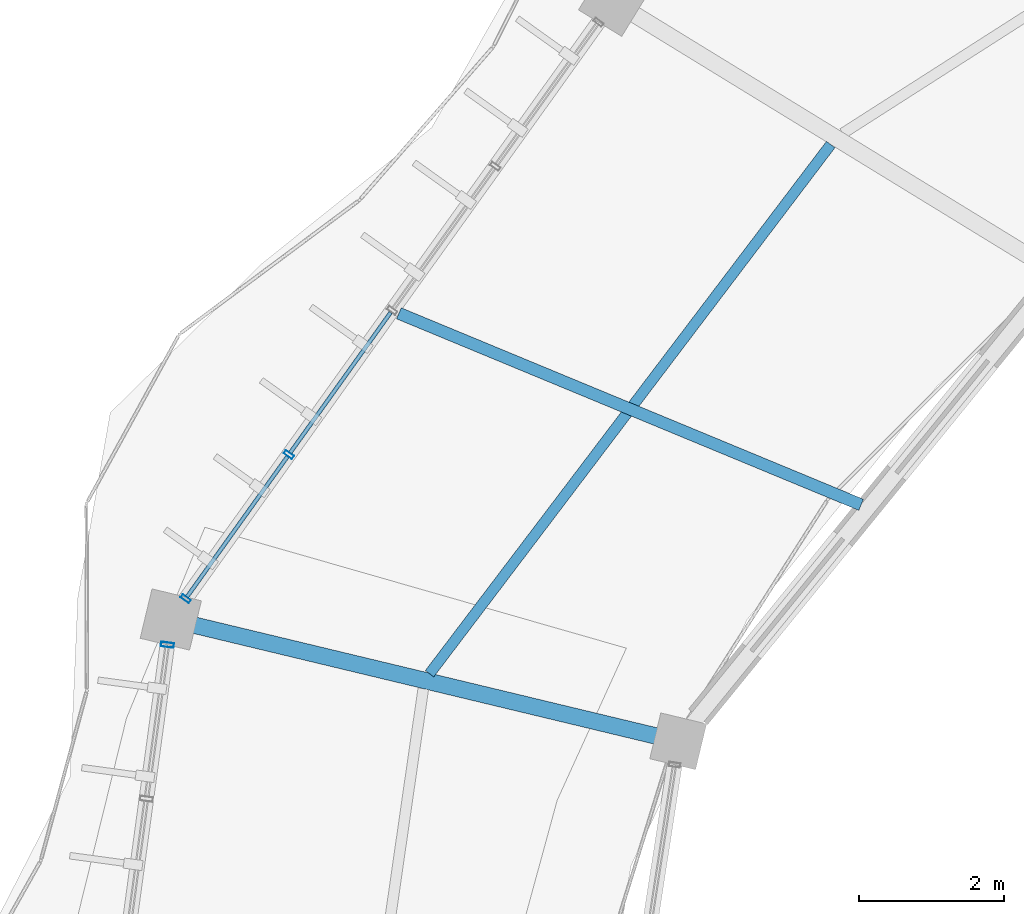
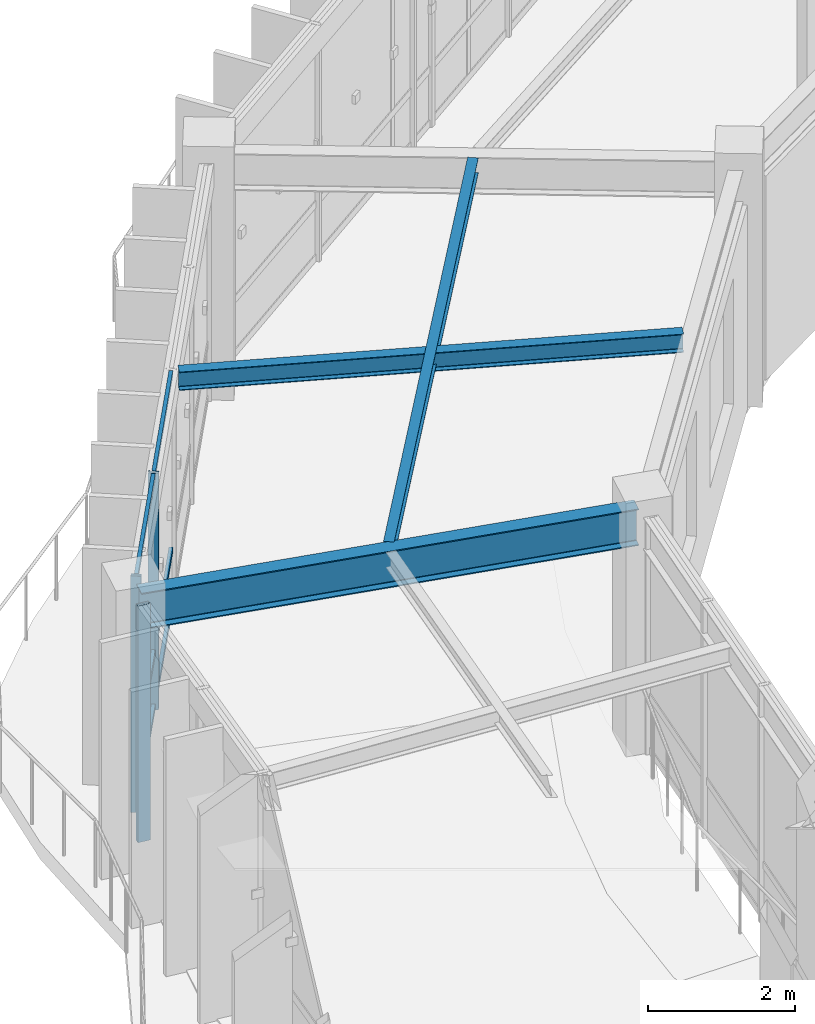
# One storey, part 41 of 138: 9 members, 3 beams, 2 elements without a shape of their own.
"""IFC4 building model written with IfcOpenShell, lengths in metres."""

from ifc_helpers import new_model, si_unit, direction, frame, origin, origin_2d, place, context, subcontext, project, spatial, hollow_rectangle, i_section, extrude, material, material_profile, profile_set, type_object, element, aggregate, save


model = new_model("IFC4")

# Units and contexts
model_context = context("Model", 3, precision=1e-05, world=origin(), true_north=direction((0.0, 1.0)))
body_context = subcontext(model_context, "Body", "Model", "MODEL_VIEW")
ifc_project = project(units=[si_unit("LENGTHUNIT", "METRE"), si_unit("AREAUNIT", "SQUARE_METRE"), si_unit("VOLUMEUNIT", "CUBIC_METRE"), si_unit("PLANEANGLEUNIT", "RADIAN"), si_unit("MASSUNIT", "GRAM", prefix="KILO"), si_unit("THERMODYNAMICTEMPERATUREUNIT", "KELVIN"), si_unit("POWERUNIT", "WATT")], contexts=[model_context])

# Site, building, storey
site_placement = place(None, origin())
site = spatial("IfcSite", under=ifc_project, at=site_placement, CompositionType="ELEMENT")
building_placement = place(site_placement, origin())
building = spatial("IfcBuilding", under=site, at=building_placement, Name="Darbajah Civic Hall", CompositionType="ELEMENT")
storey_placement = place(building_placement, frame((0.0, 0.0, 9.60009765625)))
storey = spatial("IfcBuildingStorey", under=building, at=storey_placement, Name="L02", CompositionType="ELEMENT", Elevation=9.60009765625)

# Curtain wall, members
ifc_material_1 = material(Name="Anodised Bronze Aluminium and Low-E Glazing", Category="aluminium")
curtain_wall_type_1 = type_object("IfcCurtainWallType", Name="Unitised Curtain Wall CW-44 9800x3900", PredefinedType="USERDEFINED", material=ifc_material_1)
curtain_wall_1_placement = place(storey_placement, origin())
curtain_wall_1 = element("IfcCurtainWall", 1, at=curtain_wall_1_placement, inside=storey, type_object=curtain_wall_type_1, Name="L02 unitised curtain wall CW-V1O-L02-08", ObjectType="UNITISED CURTAIN WALL", PredefinedType="USERDEFINED")
ifc_material_2 = material(Name="Anodised Bronze Aluminium", Category="aluminium")
ifc_material_profile_1 = material_profile(ifc_material_2, hollow_rectangle(XDim=0.054931640625, YDim=0.139892578125, WallThickness=0.003173828125, at=origin_2d()), Name="ALU MULLION 55x140")
ifc_profile_set_1 = profile_set([ifc_material_profile_1], Name="Anodised Bronze Aluminium")
member_type_1 = type_object("IfcMemberType", Name="ALU MULLION 55x140", PredefinedType="MULLION", material=ifc_profile_set_1)
member_1_placement = place(storey_placement, frame((41.13818359375, 98.96142578125, 0.0), z_axis=(0.0, 0.0, 1.0), x_axis=(-0.582264874145, -0.812999149039, 0.0)))
member_1 = element("IfcMember", 2, at=member_1_placement, type_object=member_type_1, Name="CW-V1O-L02-08 mullion 4", PredefinedType="MULLION", context=body_context, shape_type="SweptSolid", body=[
    extrude(hollow_rectangle(XDim=0.054931640625, YDim=0.139892578125, WallThickness=0.003173828125, at=origin_2d()), origin(), (0.0, 0.0, 1.0), 3.919921875),
])
member_2_placement = place(storey_placement, frame((39.714111328125, 96.972900390625, 0.0), z_axis=(0.0, 0.0, 1.0), x_axis=(-0.582264874145, -0.812999149039, 0.0)))
member_2 = element("IfcMember", 3, at=member_2_placement, type_object=member_type_1, Name="CW-V1O-L02-08 mullion 5", PredefinedType="MULLION", context=body_context, shape_type="SweptSolid", body=[
    extrude(hollow_rectangle(XDim=0.054931640625, YDim=0.139892578125, WallThickness=0.003173828125, at=origin_2d()), origin(), (0.0, 0.0, 1.0), 3.919921875),
])

# Curtain wall, member
curtain_wall_type_2 = type_object("IfcCurtainWallType", Name="Unitised Curtain Wall CW-45 8600x3900", PredefinedType="USERDEFINED", material=ifc_material_1)
curtain_wall_2_placement = place(storey_placement, origin())
curtain_wall_2 = element("IfcCurtainWall", 4, at=curtain_wall_2_placement, inside=storey, type_object=curtain_wall_type_2, Name="L02 unitised curtain wall CW-V1O-L02-09", ObjectType="UNITISED CURTAIN WALL", PredefinedType="USERDEFINED")
ifc_material_profile_2 = material_profile(ifc_material_2, hollow_rectangle(XDim=0.06494140625, YDim=0.179931640625, WallThickness=0.00390625, at=origin_2d()), Name="ALU MULLION 65x180")
ifc_profile_set_2 = profile_set([ifc_material_profile_2], Name="Anodised Bronze Aluminium")
member_type_2 = type_object("IfcMemberType", Name="ALU MULLION 65x180", PredefinedType="MULLION", material=ifc_profile_set_2)
member_3_placement = place(storey_placement, frame((39.461669921875, 96.337890625, 0.0), z_axis=(0.0, 0.0, 1.0), x_axis=(-0.134850930274, -0.990865897387, 0.0)))
member_3 = element("IfcMember", 5, at=member_3_placement, type_object=member_type_2, Name="CW-V1O-L02-09 mullion 1", PredefinedType="MULLION", context=body_context, shape_type="SweptSolid", body=[
    extrude(hollow_rectangle(XDim=0.06494140625, YDim=0.179931640625, WallThickness=0.00390625, at=origin_2d()), origin(), (0.0, 0.0, 1.0), 3.919921875),
])
aggregate(curtain_wall_2, [member_3])

# Member
ifc_material_profile_3 = material_profile(ifc_material_2, hollow_rectangle(XDim=0.054931640625, YDim=0.10009765625, WallThickness=0.0029296875, at=origin_2d()), Name="ALU TRANSOM 55x100")
ifc_profile_set_3 = profile_set([ifc_material_profile_3], Name="Anodised Bronze Aluminium")
member_type_3 = type_object("IfcMemberType", Name="ALU TRANSOM 55x100", PredefinedType="USERDEFINED", material=ifc_profile_set_3)
member_4_placement = place(storey_placement, frame((42.543212890625, 100.923583984375, 0.0498046875), z_axis=(-0.582217437317, -0.813033120902, 0.0), x_axis=(0.813033120902, -0.582217437317, 0.0)))
member_4 = element("IfcMember", 6, at=member_4_placement, type_object=member_type_3, Name="CW-V1O-L02-08 transom 3.1", ObjectType="TRANSOM", PredefinedType="USERDEFINED", context=body_context, shape_type="SweptSolid", body=[
    extrude(hollow_rectangle(XDim=0.054931640625, YDim=0.10009765625, WallThickness=0.0029296875, at=origin_2d()), origin(), (0.0, 0.0, 1.0), 2.380859375),
])

member_5_placement = place(storey_placement, frame((42.543212890625, 100.923583984375, 0.949951171875), z_axis=(-0.582217437317, -0.813033120902, 0.0), x_axis=(0.813033120902, -0.582217437317, 0.0)))
member_5 = element("IfcMember", 7, at=member_5_placement, type_object=member_type_3, Name="CW-V1O-L02-08 transom 3.2", ObjectType="TRANSOM", PredefinedType="USERDEFINED", context=body_context, shape_type="SweptSolid", body=[
    extrude(hollow_rectangle(XDim=0.054931640625, YDim=0.10009765625, WallThickness=0.0029296875, at=origin_2d()), origin(), (0.0, 0.0, 1.0), 2.380859375),
])

member_6_placement = place(storey_placement, frame((42.543212890625, 100.923583984375, 3.869873046875), z_axis=(-0.582217437317, -0.813033120902, 0.0), x_axis=(0.813033120902, -0.582217437317, 0.0)))
member_6 = element("IfcMember", 8, at=member_6_placement, type_object=member_type_3, Name="CW-V1O-L02-08 transom 3.3", ObjectType="TRANSOM", PredefinedType="USERDEFINED", context=body_context, shape_type="SweptSolid", body=[
    extrude(hollow_rectangle(XDim=0.054931640625, YDim=0.10009765625, WallThickness=0.0029296875, at=origin_2d()), origin(), (0.0, 0.0, 1.0), 2.380859375),
])

member_7_placement = place(storey_placement, frame((41.119140625, 98.93505859375, 0.0498046875), z_axis=(-0.582217437317, -0.813033120902, 0.0), x_axis=(0.813033120902, -0.582217437317, 0.0)))
member_7 = element("IfcMember", 9, at=member_7_placement, type_object=member_type_3, Name="CW-V1O-L02-08 transom 4.1", ObjectType="TRANSOM", PredefinedType="USERDEFINED", context=body_context, shape_type="SweptSolid", body=[
    extrude(hollow_rectangle(XDim=0.054931640625, YDim=0.10009765625, WallThickness=0.0029296875, at=origin_2d()), origin(), (0.0, 0.0, 1.0), 2.380859375),
])

member_8_placement = place(storey_placement, frame((41.119140625, 98.93505859375, 0.949951171875), z_axis=(-0.582217437317, -0.813033120902, 0.0), x_axis=(0.813033120902, -0.582217437317, 0.0)))
member_8 = element("IfcMember", 10, at=member_8_placement, type_object=member_type_3, Name="CW-V1O-L02-08 transom 4.2", ObjectType="TRANSOM", PredefinedType="USERDEFINED", context=body_context, shape_type="SweptSolid", body=[
    extrude(hollow_rectangle(XDim=0.054931640625, YDim=0.10009765625, WallThickness=0.0029296875, at=origin_2d()), origin(), (0.0, 0.0, 1.0), 2.380859375),
])

member_9_placement = place(storey_placement, frame((41.119140625, 98.93505859375, 3.869873046875), z_axis=(-0.582217437317, -0.813033120902, 0.0), x_axis=(0.813033120902, -0.582217437317, 0.0)))
member_9 = element("IfcMember", 11, at=member_9_placement, type_object=member_type_3, Name="CW-V1O-L02-08 transom 4.3", ObjectType="TRANSOM", PredefinedType="USERDEFINED", context=body_context, shape_type="SweptSolid", body=[
    extrude(hollow_rectangle(XDim=0.054931640625, YDim=0.10009765625, WallThickness=0.0029296875, at=origin_2d()), origin(), (0.0, 0.0, 1.0), 2.380859375),
])

aggregate(curtain_wall_1, [member_1, member_2, member_4, member_5, member_6, member_7, member_8, member_9])

# Beams
ifc_material_3 = material(Name="Steel S355JR", Category="steel")
ifc_material_profile_4 = material_profile(ifc_material_3, i_section(OverallWidth=0.146484375, OverallDepth=0.256103515625, WebThickness=0.00634765625, FlangeThickness=0.010986328125, FilletRadius=0.007568359375, at=origin_2d()), Name="UB 254x146x37")
ifc_profile_set_4 = profile_set([ifc_material_profile_4], Name="Steel S355JR")
beam_type_1 = type_object("IfcBeamType", Name="UB 254x146x37", PredefinedType="JOIST", material=ifc_profile_set_4)
beam_1_placement = place(storey_placement, frame((48.61474609375, 103.240234375, 3.7919921875), z_axis=(-0.604114678665, -0.796897393032, 0.0), x_axis=(0.796897393032, -0.604114678665, 0.0)))
element("IfcBeam", 12, at=beam_1_placement, inside=storey, type_object=beam_type_1, Name="L02 beam SJ-254", PredefinedType="JOIST", context=body_context, shape_type="SweptSolid", body=[
    extrude(i_section(OverallWidth=0.146484375, OverallDepth=0.256103515625, WebThickness=0.00634765625, FlangeThickness=0.010986328125, FilletRadius=0.007568359375, at=origin_2d()), origin(), (0.0, 0.0, 1.0), 9.162353515625),
])
ifc_material_profile_5 = material_profile(ifc_material_3, i_section(OverallWidth=0.165771484375, OverallDepth=0.306640625, WebThickness=0.006591796875, FlangeThickness=0.01171875, FilletRadius=0.0087890625, at=origin_2d()), Name="UB 305x165x46")
ifc_profile_set_5 = profile_set([ifc_material_profile_5], Name="Steel S355JR")
beam_type_2 = type_object("IfcBeamType", Name="UB 305x165x46", PredefinedType="JOIST", material=ifc_profile_set_5)
beam_2_placement = place(storey_placement, frame((49.034423828125, 98.269287109375, 3.7666015625), z_axis=(-0.923878471007, 0.382685995053, 0.0), x_axis=(-0.382685995053, -0.923878471007, 0.0)))
element("IfcBeam", 13, at=beam_2_placement, inside=storey, type_object=beam_type_2, Name="L02 beam SJ-305", PredefinedType="JOIST", context=body_context, shape_type="SweptSolid", body=[
    extrude(i_section(OverallWidth=0.165771484375, OverallDepth=0.306640625, WebThickness=0.006591796875, FlangeThickness=0.01171875, FilletRadius=0.0087890625, at=origin_2d()), origin(), (0.0, 0.0, 1.0), 6.9033203125),
])
ifc_material_profile_6 = material_profile(ifc_material_3, i_section(OverallWidth=0.228271484375, OverallDepth=0.607666015625, WebThickness=0.010986328125, FlangeThickness=0.017333984375, FilletRadius=0.0126953125, at=origin_2d()), Name="UB 610x229x113")
ifc_profile_set_6 = profile_set([ifc_material_profile_6], Name="Steel S355JR")
beam_type_3 = type_object("IfcBeamType", Name="UB 610x229x113", PredefinedType="BEAM", material=ifc_profile_set_6)
beam_3_placement = place(storey_placement, frame((46.432373046875, 95.0244140625, 3.6162109375), z_axis=(-0.972366522162, 0.233459518071, 0.0), x_axis=(-0.233459518071, -0.972366522162, 0.0)))
element("IfcBeam", 14, at=beam_3_placement, inside=storey, type_object=beam_type_3, Name="L02 beam SB-610", PredefinedType="BEAM", context=body_context, shape_type="SweptSolid", body=[
    extrude(i_section(OverallWidth=0.228271484375, OverallDepth=0.607666015625, WebThickness=0.010986328125, FlangeThickness=0.017333984375, FilletRadius=0.0126953125, at=origin_2d()), origin(), (0.0, 0.0, 1.0), 7.0400390625),
])

save(model, "model.ifc")
